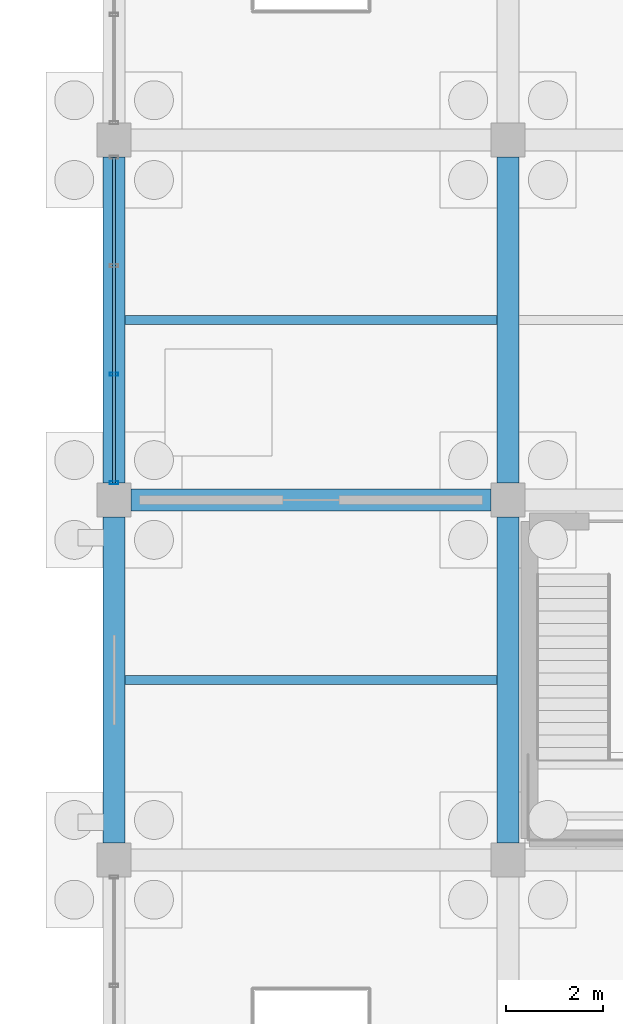
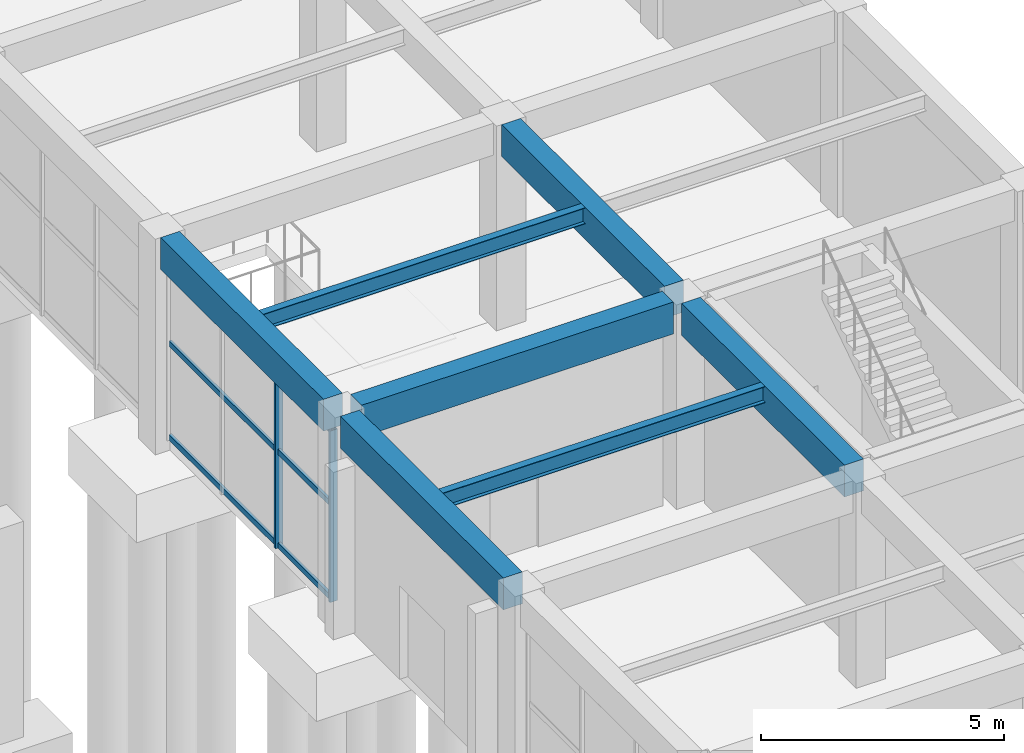
# One storey, part 99 of 140: 7 beams, 5 members, 1 element without a shape of its own.
"""IFC4 building model written with IfcOpenShell, lengths in metres."""

from ifc_helpers import new_model, si_unit, direction, frame, origin, origin_2d, place, context, subcontext, project, spatial, rectangle, hollow_rectangle, i_section, extrude, material, material_profile, profile_set, type_object, element, aggregate, save


model = new_model("IFC4")

# Units and contexts
model_context = context("Model", 3, precision=1e-05, world=origin(), true_north=direction((0.0, 1.0)))
body_context = subcontext(model_context, "Body", "Model", "MODEL_VIEW")
ifc_project = project(units=[si_unit("LENGTHUNIT", "METRE"), si_unit("AREAUNIT", "SQUARE_METRE"), si_unit("VOLUMEUNIT", "CUBIC_METRE"), si_unit("PLANEANGLEUNIT", "RADIAN"), si_unit("MASSUNIT", "GRAM", prefix="KILO")], contexts=[model_context])

# Site, building, storey
site_placement = place(None, origin())
site = spatial("IfcSite", under=ifc_project, at=site_placement, CompositionType="ELEMENT")
building_placement = place(site_placement, origin())
building = spatial("IfcBuilding", under=site, at=building_placement, Name="Cimatlan Art Gallery", CompositionType="ELEMENT")
storey_placement = place(building_placement, origin())
storey = spatial("IfcBuildingStorey", under=building, at=storey_placement, Name="L00", CompositionType="ELEMENT", Elevation=0.0)

# Beams
ifc_material_1 = material(Name="Concrete C40/50", Category="concrete")
ifc_material_profile_1 = material_profile(ifc_material_1, rectangle(XDim=0.449951171875, YDim=0.800048828125, at=origin_2d()), Name="RC450X800")
ifc_profile_set_1 = profile_set([ifc_material_profile_1], Name="Concrete C40/50")
beam_type_1 = type_object("IfcBeamType", Name="BM-RC-450X800", PredefinedType="BEAM", material=ifc_profile_set_1)
for number, where, z_axis, x_axis, name in (
    (1, (147.800048828125, 46.449951171875, 4.735107421875), (0.0, 1.0, 0.0), (-1.0, 0.0, 0.0), "BM-Y-L00-18-06"),
    (2, (147.800048828125, 53.85009765625, 4.735107421875), (0.0, 1.0, 0.0), (-1.0, 0.0, 0.0), "BM-Y-L00-18-07"),
    (3, (155.89990234375, 46.449951171875, 4.735107421875), (0.0, 1.0, 0.0), (-1.0, 0.0, 0.0), "BM-Y-L00-19-06"),
    (4, (155.89990234375, 53.85009765625, 4.735107421875), (0.0, 1.0, 0.0), (-1.0, 0.0, 0.0), "BM-Y-L00-19-07"),
):
    element("IfcBeam", number, at=place(storey_placement, frame(where, z_axis=z_axis, x_axis=x_axis)), inside=storey, type_object=beam_type_1, Name=name, PredefinedType="BEAM", context=body_context, shape_type="SweptSolid", body=[
        extrude(rectangle(XDim=0.449951171875, YDim=0.800048828125, at=origin_2d()), origin(), (0.0, 0.0, 1.0), 6.699951171875),
    ])
beam_placement = place(storey_placement, frame((148.14990234375, 53.5, 4.735107421875), z_axis=(1.0, 0.0, 0.0), x_axis=(0.0, 1.0, 0.0)))
element("IfcBeam", 5, at=beam_placement, inside=storey, type_object=beam_type_1, Name="BM-X-L00-18-07", PredefinedType="BEAM", context=body_context, shape_type="SweptSolid", body=[
    extrude(rectangle(XDim=0.449951171875, YDim=0.800048828125, at=origin_2d()), origin(), (0.0, 0.0, 1.0), 7.400146484375),
])
ifc_material_2 = material(Name="Steel ASTM A992 Grade 50", Category="steel")
ifc_material_profile_2 = material_profile(ifc_material_2, i_section(OverallWidth=0.177978515625, OverallDepth=0.406982421875, WebThickness=0.0078125, FlangeThickness=0.0126953125, at=origin_2d()), Name="W16X40")
ifc_profile_set_2 = profile_set([ifc_material_profile_2], Name="Steel ASTM A992 Grade 50")
beam_type_2 = type_object("IfcBeamType", Name="BM-STL-W16X40", PredefinedType="JOIST", material=ifc_profile_set_2)
for number, where, z_axis, x_axis, name in (
    (6, (148.02490234375, 49.800048828125, 4.931396484375), (1.0, 0.0, 0.0), (0.0, 1.0, 0.0), "JST-L00-18-06"),
    (7, (148.02490234375, 57.199951171875, 4.931396484375), (1.0, 0.0, 0.0), (0.0, 1.0, 0.0), "JST-L00-18-07"),
):
    element("IfcBeam", number, at=place(storey_placement, frame(where, z_axis=z_axis, x_axis=x_axis)), inside=storey, type_object=beam_type_2, Name=name, PredefinedType="JOIST", context=body_context, shape_type="SweptSolid", body=[
        extrude(i_section(OverallWidth=0.177978515625, OverallDepth=0.406982421875, WebThickness=0.0078125, FlangeThickness=0.0126953125, at=origin_2d()), origin(), (0.0, 0.0, 1.0), 7.650146484375),
    ])

# Curtain wall, members
ifc_material_3 = material(Name="Anodised bronze unitised curtain wall")
curtain_wall_type = type_object("IfcCurtainWallType", Name="CW-V-06692X04305-B3", PredefinedType="NOTDEFINED", material=ifc_material_3)
curtain_wall_placement = place(storey_placement, origin())
curtain_wall = element("IfcCurtainWall", 8, at=curtain_wall_placement, inside=storey, type_object=curtain_wall_type, Name="CW-L00-18-07-W", PredefinedType="NOTDEFINED")
ifc_material_4 = material(Name="Anodised bronze aluminium 6063-T6", Category="aluminium")
ifc_material_profile_3 = material_profile(ifc_material_4, hollow_rectangle(XDim=0.06494140625, YDim=0.179931640625, WallThickness=0.00390625, at=origin_2d()), Name="ALU65X180X4")
ifc_profile_set_3 = profile_set([ifc_material_profile_3], Name="Anodised bronze aluminium 6063-T6")
member_type_1 = type_object("IfcMemberType", Name="CW-MUL-180", PredefinedType="MULLION", material=ifc_profile_set_3)
member_1_placement = place(storey_placement, frame((147.800048828125, 53.85400390625, 0.0), z_axis=(0.0, 0.0, 1.0), x_axis=(0.0, 1.0, 0.0)))
member_1 = element("IfcMember", 9, at=member_1_placement, type_object=member_type_1, Name="CW-L00-18-07-W-M1", PredefinedType="MULLION", context=body_context, shape_type="SweptSolid", body=[
    extrude(hollow_rectangle(XDim=0.06494140625, YDim=0.179931640625, WallThickness=0.00390625, at=origin_2d()), origin(), (0.0, 0.0, 1.0), 4.304931640625),
])
member_2_placement = place(storey_placement, frame((147.800048828125, 56.084716796875, 0.0), z_axis=(0.0, 0.0, 1.0), x_axis=(0.0, 1.0, 0.0)))
member_2 = element("IfcMember", 10, at=member_2_placement, type_object=member_type_1, Name="CW-L00-18-07-W-M2", PredefinedType="MULLION", context=body_context, shape_type="SweptSolid", body=[
    extrude(hollow_rectangle(XDim=0.06494140625, YDim=0.179931640625, WallThickness=0.00390625, at=origin_2d()), origin(), (0.0, 0.0, 1.0), 4.304931640625),
])
ifc_material_profile_4 = material_profile(ifc_material_4, hollow_rectangle(XDim=0.06494140625, YDim=0.139892578125, WallThickness=0.00390625, at=origin_2d()), Name="ALU65X140X4")
ifc_profile_set_4 = profile_set([ifc_material_profile_4], Name="Anodised bronze aluminium 6063-T6")
member_type_2 = type_object("IfcMemberType", Name="CW-TRN-140", PredefinedType="USERDEFINED", material=ifc_profile_set_4)
member_3_placement = place(storey_placement, frame((147.800048828125, 53.85400390625, 0.06005859375), z_axis=(0.0, 1.0, 0.0), x_axis=(-1.0, 0.0, 0.0)))
member_3 = element("IfcMember", 11, at=member_3_placement, type_object=member_type_2, Name="CW-L00-18-07-W-T1", ObjectType="TRANSOM", PredefinedType="USERDEFINED", context=body_context, shape_type="SweptSolid", body=[
    extrude(hollow_rectangle(XDim=0.06494140625, YDim=0.139892578125, WallThickness=0.00390625, at=origin_2d()), origin(), (0.0, 0.0, 1.0), 6.69189453125),
])
member_4_placement = place(storey_placement, frame((147.800048828125, 53.85400390625, 2.410888671875), z_axis=(0.0, 1.0, 0.0), x_axis=(-1.0, 0.0, 0.0)))
member_4 = element("IfcMember", 12, at=member_4_placement, type_object=member_type_2, Name="CW-L00-18-07-W-T2", ObjectType="TRANSOM", PredefinedType="USERDEFINED", context=body_context, shape_type="SweptSolid", body=[
    extrude(hollow_rectangle(XDim=0.06494140625, YDim=0.139892578125, WallThickness=0.00390625, at=origin_2d()), origin(), (0.0, 0.0, 1.0), 6.69189453125),
])
member_5_placement = place(storey_placement, frame((147.800048828125, 53.85400390625, 4.2451171875), z_axis=(0.0, 1.0, 0.0), x_axis=(-1.0, 0.0, 0.0)))
member_5 = element("IfcMember", 13, at=member_5_placement, type_object=member_type_2, Name="CW-L00-18-07-W-T3", ObjectType="TRANSOM", PredefinedType="USERDEFINED", context=body_context, shape_type="SweptSolid", body=[
    extrude(hollow_rectangle(XDim=0.06494140625, YDim=0.139892578125, WallThickness=0.00390625, at=origin_2d()), origin(), (0.0, 0.0, 1.0), 6.69189453125),
])
aggregate(curtain_wall, [member_1, member_2, member_3, member_4, member_5])

save(model, "model.ifc")
